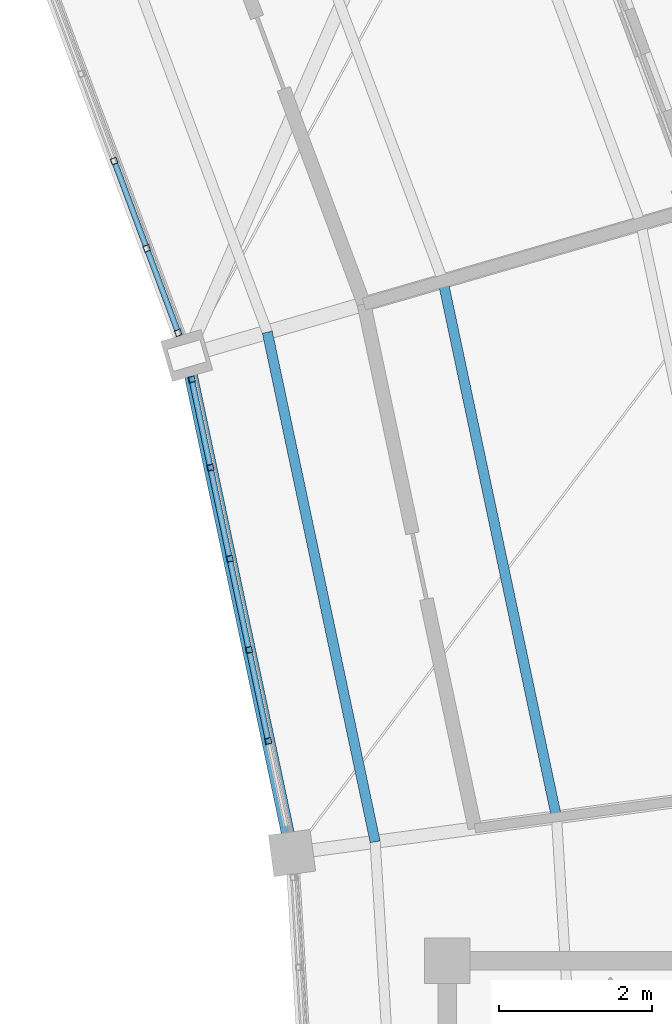
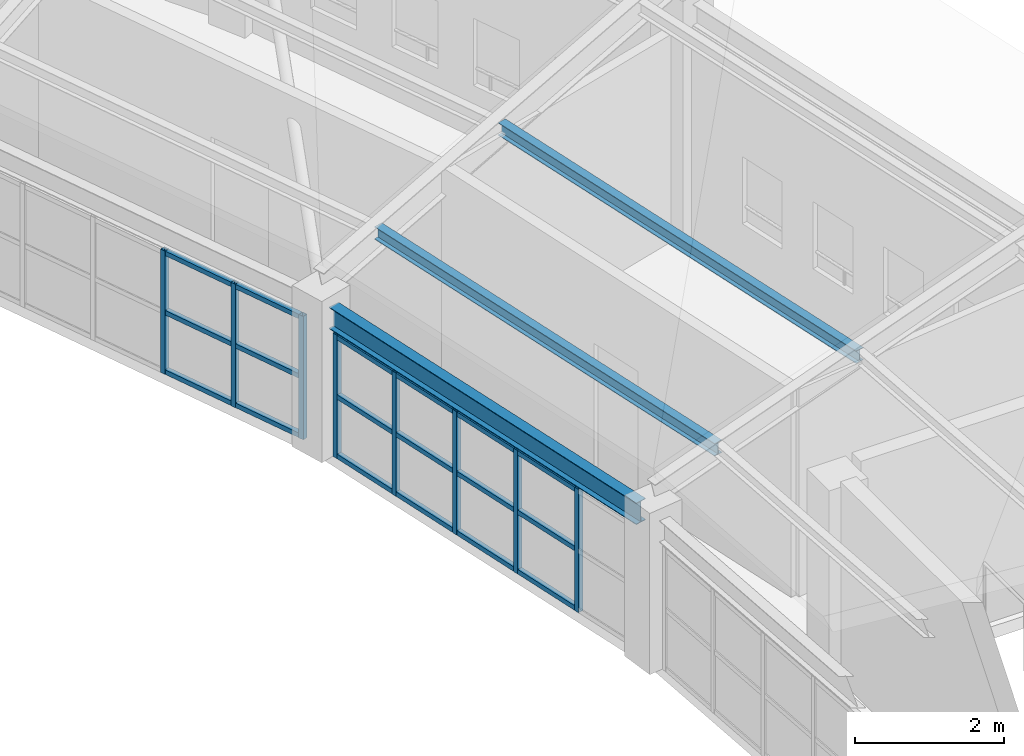
# One storey, part 96 of 149: 28 members, 1 beam, 2 elements without a shape of their own.
"""IFC4 building model written with IfcOpenShell, lengths in metres."""

import ifcopenshell
import ifcopenshell.guid

model = None  # the IFC model being written
_history = None  # IfcOwnerHistory: only IFC2X3 demands one
_inside = {}  # id of a spatial element -> (the spatial element, [elements in it])
_under = {}  # id of a project, library or spatial element -> (it, [spatial elements below it])
_declared = {}  # id of a project -> (the project, [libraries it declares])
_typed = {}  # id of a type object -> (the type object, [elements of that type])
_made_of = {}  # id of a material, layer set ... -> (it, [elements and type objects made of it])


def new_model(schema):
    """Start an empty IFC model of exactly this schema.

    Asked for "IFC4X3", IfcOpenShell would pick the latest addendum, in which some entities
    have other attributes; the version numbers below select the first issue.
    IFC2X3 requires an IfcOwnerHistory on every rooted entity: one is made here for all.
    """
    global model, _history
    if schema == "IFC4X3":
        model = ifcopenshell.file(schema_version=(4, 3, 0, 0))
    else:
        model = ifcopenshell.file(schema=schema)
    _inside.clear()
    _under.clear()
    _declared.clear()
    _typed.clear()
    _made_of.clear()
    _history = None
    if model.schema == "IFC2X3":
        org = make("IfcOrganization", Name="unknown")
        user = make(
            "IfcPersonAndOrganization",
            ThePerson=make("IfcPerson", FamilyName="unknown"),
            TheOrganization=org,
        )
        app = make(
            "IfcApplication",
            ApplicationDeveloper=org,
            Version="unknown",
            ApplicationFullName="unknown",
            ApplicationIdentifier="unknown",
        )
        _history = make(
            "IfcOwnerHistory",
            OwningUser=user,
            OwningApplication=app,
            ChangeAction="ADDED",
            CreationDate=0,
        )
    return model


def make(cls, **values):
    """One entity of the class cls with the attributes given. An attribute that is None is left unset."""
    return model.create_entity(
        cls, **{name: value for name, value in values.items() if value is not None}
    )


def rooted(cls, **values):
    """An entity with a GlobalId (a new one), such as an element, a storey or a relation."""
    return make(cls, GlobalId=ifcopenshell.guid.new(), OwnerHistory=_history, **values)


def si_unit(unit_type, name, prefix=None):
    """IfcSIUnit, for example si_unit("LENGTHUNIT", "METRE", prefix="MILLI")."""
    return make("IfcSIUnit", UnitType=unit_type, Prefix=prefix, Name=name)


def assignment(units):
    """IfcUnitAssignment: the units of a project."""
    return None if units is None else make("IfcUnitAssignment", Units=units)


def point(xyz):
    """IfcCartesianPoint."""
    return None if xyz is None else make("IfcCartesianPoint", Coordinates=xyz)


def direction(xyz):
    """IfcDirection."""
    return None if xyz is None else make("IfcDirection", DirectionRatios=xyz)


def frame(location, z_axis=None, x_axis=None):
    """IfcAxis2Placement3D, a coordinate frame: its origin and axes. An axis left out is left unset."""
    return make(
        "IfcAxis2Placement3D",
        Location=point(location),
        Axis=direction(z_axis),
        RefDirection=direction(x_axis),
    )


def frame_2d(location, x_axis=None):
    """IfcAxis2Placement2D, a coordinate frame in the plane: its origin and x axis."""
    return make(
        "IfcAxis2Placement2D", Location=point(location), RefDirection=direction(x_axis)
    )


def origin():
    """The frame at (0, 0, 0) with its axes left unset."""
    return frame((0.0, 0.0, 0.0))


def origin_2d():
    """The frame at (0, 0) in the plane with its x axis left unset."""
    return frame_2d((0.0, 0.0))


def place(relative_to, where):
    """IfcLocalPlacement: puts the frame where relative to a parent placement (None: the world)."""
    return make(
        "IfcLocalPlacement", PlacementRelTo=relative_to, RelativePlacement=where
    )


def context(
    kind, dimensions, precision=None, world=None, true_north=None, identifier=None
):
    """IfcGeometricRepresentationContext, for example the 3D "Model" context."""
    return make(
        "IfcGeometricRepresentationContext",
        ContextIdentifier=identifier,
        ContextType=kind,
        CoordinateSpaceDimension=dimensions,
        Precision=precision,
        WorldCoordinateSystem=world,
        TrueNorth=true_north,
    )


def subcontext(parent, identifier, kind, view, scale=None):
    """IfcGeometricRepresentationSubContext, for example "Body" below "Model"."""
    return make(
        "IfcGeometricRepresentationSubContext",
        ContextIdentifier=identifier,
        ContextType=kind,
        ParentContext=parent,
        TargetScale=scale,
        TargetView=view,
    )


def project(units=None, contexts=None):
    """IfcProject with its units and contexts."""
    return rooted(
        "IfcProject",
        Name="project",
        RepresentationContexts=contexts,
        UnitsInContext=assignment(units),
    )


def spatial(cls, under=None, at=None, **own):
    """A site, building, storey or space (cls), placed at a placement, below another one or the project."""
    s = rooted(cls, ObjectPlacement=at, **own)
    if under is not None:
        _under.setdefault(under.id(), (under, []))[1].append(s)
    return s


def profile(cls, at=None, kind="AREA", **sizes):
    """A parametric profile (cls). Its sizes go by their IFC names, for example OverallWidth=200.0."""
    return make(cls, ProfileType=kind, Position=at, **sizes)


def hollow_rectangle(**sizes):
    """IfcRectangleHollowProfileDef."""
    return profile("IfcRectangleHollowProfileDef", **sizes)


def i_section(**sizes):
    """IfcIShapeProfileDef."""
    return profile("IfcIShapeProfileDef", **sizes)


def extrude(swept, where, along, depth):
    """IfcExtrudedAreaSolid: the profile swept, set in the frame where, extruded along a direction by depth."""
    return make(
        "IfcExtrudedAreaSolid",
        SweptArea=swept,
        Position=where,
        ExtrudedDirection=direction(along),
        Depth=depth,
    )


def shape(context_of_items, identifier, shape_type, items):
    """IfcShapeRepresentation: the items that make up one representation, for example the "Body"."""
    return make(
        "IfcShapeRepresentation",
        ContextOfItems=context_of_items,
        RepresentationIdentifier=identifier,
        RepresentationType=shape_type,
        Items=items,
    )


def material(Name=None, Category=None):
    """IfcMaterial."""
    return make("IfcMaterial", Name=Name, Category=Category)


def material_profile(
    of_material, cross_section, Name=None, Category=None, Priority=None
):
    """IfcMaterialProfile: a cross section and its material."""
    return make(
        "IfcMaterialProfile",
        Name=Name,
        Material=of_material,
        Profile=cross_section,
        Priority=Priority,
        Category=Category,
    )


def profile_set(profiles, Name=None, composite=None):
    """IfcMaterialProfileSet."""
    return make(
        "IfcMaterialProfileSet",
        Name=Name,
        MaterialProfiles=profiles,
        CompositeProfile=composite,
    )


def made_of(thing, what):
    """Note that an element or type object is made of a material, layer set ...; save() writes the relation."""
    if what is not None:
        _made_of.setdefault(what.id(), (what, []))[1].append(thing)
    return thing


def type_object(cls, material=None, **own):
    """A type object (cls), such as IfcWallType, which elements share."""
    return made_of(rooted(cls, **own), material)


def element(
    cls,
    number,
    at=None,
    inside=None,
    cuts=None,
    type_object=None,
    material=None,
    context=None,
    identifier="Body",
    shape_type=None,
    held_by="IfcProductDefinitionShape",
    body=None,
    shapes=None,
    **own,
):
    """One element of the class cls, such as IfcWall. Its Tag is "e" and its number.

    at: its placement. inside: the storey or other place that contains it. cuts: it is an
    opening in that element (IfcRelVoidsElement). A single representation is given by context,
    identifier, shape_type and body (its items); several are given by shapes. held_by: the class
    of the entity that holds the representations. save() writes the other relations.
    """
    e = rooted(cls, Tag="e%d" % number, ObjectPlacement=at, **own)
    if body is not None:
        shapes = [shape(context, identifier, shape_type, body)]
    if shapes is not None:
        e.Representation = make(held_by, Representations=shapes)
    if inside is not None:
        _inside.setdefault(inside.id(), (inside, []))[1].append(e)
    if cuts is not None:
        rooted(
            "IfcRelVoidsElement", RelatingBuildingElement=cuts, RelatedOpeningElement=e
        )
    if type_object is not None:
        _typed.setdefault(type_object.id(), (type_object, []))[1].append(e)
    return made_of(e, material)


def aggregate(whole, parts):
    """IfcRelAggregates: a whole, such as a stair, and the parts it consists of."""
    return rooted("IfcRelAggregates", RelatingObject=whole, RelatedObjects=parts)


def save(model, path):
    """Write the relations noted so far, then the file.

    IfcRelAggregates (storeys below a building ...), IfcRelContainedInSpatialStructure (elements
    in a storey), IfcRelDefinesByType, IfcRelAssociatesMaterial and IfcRelDeclares: one each for
    every whole, place, type object, material and project.
    """
    for whole, parts in _under.values():
        aggregate(whole, parts)
    for where, things in _inside.values():
        rooted(
            "IfcRelContainedInSpatialStructure",
            RelatedElements=things,
            RelatingStructure=where,
        )
    for kind, things in _typed.values():
        rooted("IfcRelDefinesByType", RelatedObjects=things, RelatingType=kind)
    for what, things in _made_of.values():
        rooted("IfcRelAssociatesMaterial", RelatedObjects=things, RelatingMaterial=what)
    for by, libraries in _declared.values():
        rooted("IfcRelDeclares", RelatingContext=by, RelatedDefinitions=libraries)
    model.write(path)


model = new_model("IFC4")

# Units and contexts
model_context = context("Model", 3, precision=1e-05, world=origin(), true_north=direction((0.0, 1.0)))
body_context = subcontext(model_context, "Body", "Model", "MODEL_VIEW")
ifc_project = project(units=[si_unit("LENGTHUNIT", "METRE"), si_unit("AREAUNIT", "SQUARE_METRE"), si_unit("VOLUMEUNIT", "CUBIC_METRE"), si_unit("PLANEANGLEUNIT", "RADIAN"), si_unit("MASSUNIT", "GRAM", prefix="KILO")], contexts=[model_context])

# Site, building, storey
site_placement = place(None, origin())
site = spatial("IfcSite", under=ifc_project, at=site_placement, CompositionType="ELEMENT")
building_placement = place(site_placement, origin())
building = spatial("IfcBuilding", under=site, at=building_placement, Name="Celadon Cloister-Ring School", CompositionType="ELEMENT")
storey_placement = place(building_placement, frame((0.0, 0.0, 12.5)))
storey = spatial("IfcBuildingStorey", under=building, at=storey_placement, Name="L03", CompositionType="ELEMENT", Elevation=12.5)

# Curtain wall, members
ifc_material_1 = material(Name="Aluminium EN AW-6063 T6", Category="aluminium")
curtain_wall_type = type_object("IfcCurtainWallType", Name="CW-02", PredefinedType="USERDEFINED", material=ifc_material_1)
curtain_wall_1_placement = place(storey_placement, origin())
curtain_wall_1 = element("IfcCurtainWall", 1, at=curtain_wall_1_placement, inside=storey, type_object=curtain_wall_type, Name="Curtain Wall 0073", ObjectType="CURTAIN WALL", PredefinedType="USERDEFINED")
ifc_material_2 = material(Name="Aluminium EN AW-6063 T6", Category="aluminium")
ifc_material_profile_1 = material_profile(ifc_material_2, hollow_rectangle(XDim=0.080078125, YDim=0.080078125, WallThickness=0.00390625, at=origin_2d()), Name="RHS80X80X4")
ifc_profile_set_1 = profile_set([ifc_material_profile_1], Name="Aluminium EN AW-6063 T6")
member_type_1 = type_object("IfcMemberType", Name="CM-03", PredefinedType="MULLION", material=ifc_profile_set_1)
member_1_placement = place(storey_placement, frame((131.282958984375, 66.50048828125, 0.0), z_axis=(0.0, 0.0, 1.0), x_axis=(-0.978328665626, -0.207058016061, 0.0)))
member_1 = element("IfcMember", 2, at=member_1_placement, type_object=member_type_1, Name="CW-02 mullion 2", PredefinedType="MULLION", context=body_context, shape_type="SweptSolid", body=[
    extrude(hollow_rectangle(XDim=0.080078125, YDim=0.080078125, WallThickness=0.00390625, at=origin_2d()), origin(), (0.0, 0.0, 1.0), 2.02001953125),
])
member_2_placement = place(storey_placement, frame((131.030029296875, 67.69580078125, 0.0), z_axis=(0.0, 0.0, 1.0), x_axis=(-0.978328665626, -0.207058016061, 0.0)))
member_2 = element("IfcMember", 3, at=member_2_placement, type_object=member_type_1, Name="CW-02 mullion 3", PredefinedType="MULLION", context=body_context, shape_type="SweptSolid", body=[
    extrude(hollow_rectangle(XDim=0.080078125, YDim=0.080078125, WallThickness=0.00390625, at=origin_2d()), origin(), (0.0, 0.0, 1.0), 2.02001953125),
])
member_3_placement = place(storey_placement, frame((130.777099609375, 68.89111328125, 0.0), z_axis=(0.0, 0.0, 1.0), x_axis=(-0.978328665626, -0.207058016061, 0.0)))
member_3 = element("IfcMember", 4, at=member_3_placement, type_object=member_type_1, Name="CW-02 mullion 4", PredefinedType="MULLION", context=body_context, shape_type="SweptSolid", body=[
    extrude(hollow_rectangle(XDim=0.080078125, YDim=0.080078125, WallThickness=0.00390625, at=origin_2d()), origin(), (0.0, 0.0, 1.0), 2.02001953125),
])
member_4_placement = place(storey_placement, frame((130.52392578125, 70.086669921875, 0.0), z_axis=(0.0, 0.0, 1.0), x_axis=(-0.978328665626, -0.207058016061, 0.0)))
member_4 = element("IfcMember", 5, at=member_4_placement, type_object=member_type_1, Name="CW-02 mullion 5", PredefinedType="MULLION", context=body_context, shape_type="SweptSolid", body=[
    extrude(hollow_rectangle(XDim=0.080078125, YDim=0.080078125, WallThickness=0.00390625, at=origin_2d()), origin(), (0.0, 0.0, 1.0), 2.02001953125),
])
member_5_placement = place(storey_placement, frame((130.279296875, 71.242919921875, 0.0), z_axis=(0.0, 0.0, 1.0), x_axis=(-0.978328665626, -0.207058016061, 0.0)))
member_5 = element("IfcMember", 6, at=member_5_placement, type_object=member_type_1, Name="CW-02 mullion 6", PredefinedType="MULLION", context=body_context, shape_type="SweptSolid", body=[
    extrude(hollow_rectangle(XDim=0.080078125, YDim=0.080078125, WallThickness=0.00390625, at=origin_2d()), origin(), (0.0, 0.0, 1.0), 2.02001953125),
])

curtain_wall_2_placement = place(storey_placement, origin())
curtain_wall_2 = element("IfcCurtainWall", 7, at=curtain_wall_2_placement, inside=storey, type_object=curtain_wall_type, Name="Curtain Wall 0074", ObjectType="CURTAIN WALL", PredefinedType="USERDEFINED")
member_6_placement = place(storey_placement, frame((130.10205078125, 71.853515625, 0.0), z_axis=(0.0, 0.0, 1.0), x_axis=(-0.93694659603, -0.349472568576, 0.0)))
member_6 = element("IfcMember", 8, at=member_6_placement, type_object=member_type_1, Name="CW-02 mullion 1", PredefinedType="MULLION", context=body_context, shape_type="SweptSolid", body=[
    extrude(hollow_rectangle(XDim=0.080078125, YDim=0.080078125, WallThickness=0.00390625, at=origin_2d()), origin(), (0.0, 0.0, 1.0), 2.02001953125),
])
member_7_placement = place(storey_placement, frame((129.68896484375, 72.960693359375, 0.0), z_axis=(0.0, 0.0, 1.0), x_axis=(-0.93694659603, -0.349472568576, 0.0)))
member_7 = element("IfcMember", 9, at=member_7_placement, type_object=member_type_1, Name="CW-02 mullion 2", PredefinedType="MULLION", context=body_context, shape_type="SweptSolid", body=[
    extrude(hollow_rectangle(XDim=0.080078125, YDim=0.080078125, WallThickness=0.00390625, at=origin_2d()), origin(), (0.0, 0.0, 1.0), 2.02001953125),
])
member_8_placement = place(storey_placement, frame((129.261962890625, 74.105712890625, 0.0), z_axis=(0.0, 0.0, 1.0), x_axis=(-0.93694659603, -0.349472568576, 0.0)))
member_8 = element("IfcMember", 10, at=member_8_placement, type_object=member_type_1, Name="CW-02 mullion 3", PredefinedType="MULLION", context=body_context, shape_type="SweptSolid", body=[
    extrude(hollow_rectangle(XDim=0.080078125, YDim=0.080078125, WallThickness=0.00390625, at=origin_2d()), origin(), (0.0, 0.0, 1.0), 2.02001953125),
])

# Member
ifc_material_3 = material(Name="Aluminium EN AW-6063 T6", Category="aluminium")
ifc_material_profile_2 = material_profile(ifc_material_3, hollow_rectangle(XDim=0.074951171875, YDim=0.074951171875, WallThickness=0.00390625, at=origin_2d()), Name="RHS75X75X4")
ifc_profile_set_2 = profile_set([ifc_material_profile_2], Name="Aluminium EN AW-6063 T6")
member_type_2 = type_object("IfcMemberType", Name="CTM-03", PredefinedType="USERDEFINED", material=ifc_profile_set_2)
member_9_placement = place(storey_placement, frame((131.274658203125, 66.53955078125, 0.03759765625), z_axis=(-0.206958591044, 0.978349703119, 0.0), x_axis=(-0.978349703119, -0.206958591044, 0.0)))
member_9 = element("IfcMember", 11, at=member_9_placement, type_object=member_type_2, Name="CW-02 transom 2.1", ObjectType="TRANSOM", PredefinedType="USERDEFINED", context=body_context, shape_type="SweptSolid", body=[
    extrude(hollow_rectangle(XDim=0.074951171875, YDim=0.074951171875, WallThickness=0.00390625, at=origin_2d()), origin(), (0.0, 0.0, 1.0), 1.141845703125),
])

member_10_placement = place(storey_placement, frame((131.274658203125, 66.53955078125, 1.010009765625), z_axis=(-0.206958591044, 0.978349703119, 0.0), x_axis=(-0.978349703119, -0.206958591044, 0.0)))
member_10 = element("IfcMember", 12, at=member_10_placement, type_object=member_type_2, Name="CW-02 transom 2.2", ObjectType="TRANSOM", PredefinedType="USERDEFINED", context=body_context, shape_type="SweptSolid", body=[
    extrude(hollow_rectangle(XDim=0.074951171875, YDim=0.074951171875, WallThickness=0.00390625, at=origin_2d()), origin(), (0.0, 0.0, 1.0), 1.141845703125),
])

member_11_placement = place(storey_placement, frame((131.274658203125, 66.53955078125, 1.982421875), z_axis=(-0.206958591044, 0.978349703119, 0.0), x_axis=(-0.978349703119, -0.206958591044, 0.0)))
member_11 = element("IfcMember", 13, at=member_11_placement, type_object=member_type_2, Name="CW-02 transom 2.3", ObjectType="TRANSOM", PredefinedType="USERDEFINED", context=body_context, shape_type="SweptSolid", body=[
    extrude(hollow_rectangle(XDim=0.074951171875, YDim=0.074951171875, WallThickness=0.00390625, at=origin_2d()), origin(), (0.0, 0.0, 1.0), 1.141845703125),
])

member_12_placement = place(storey_placement, frame((131.021728515625, 67.73486328125, 0.03759765625), z_axis=(-0.206958591044, 0.978349703119, 0.0), x_axis=(-0.978349703119, -0.206958591044, 0.0)))
member_12 = element("IfcMember", 14, at=member_12_placement, type_object=member_type_2, Name="CW-02 transom 3.1", ObjectType="TRANSOM", PredefinedType="USERDEFINED", context=body_context, shape_type="SweptSolid", body=[
    extrude(hollow_rectangle(XDim=0.074951171875, YDim=0.074951171875, WallThickness=0.00390625, at=origin_2d()), origin(), (0.0, 0.0, 1.0), 1.141845703125),
])

member_13_placement = place(storey_placement, frame((131.021728515625, 67.73486328125, 1.010009765625), z_axis=(-0.206958591044, 0.978349703119, 0.0), x_axis=(-0.978349703119, -0.206958591044, 0.0)))
member_13 = element("IfcMember", 15, at=member_13_placement, type_object=member_type_2, Name="CW-02 transom 3.2", ObjectType="TRANSOM", PredefinedType="USERDEFINED", context=body_context, shape_type="SweptSolid", body=[
    extrude(hollow_rectangle(XDim=0.074951171875, YDim=0.074951171875, WallThickness=0.00390625, at=origin_2d()), origin(), (0.0, 0.0, 1.0), 1.141845703125),
])

member_14_placement = place(storey_placement, frame((131.021728515625, 67.73486328125, 1.982421875), z_axis=(-0.206958591044, 0.978349703119, 0.0), x_axis=(-0.978349703119, -0.206958591044, 0.0)))
member_14 = element("IfcMember", 16, at=member_14_placement, type_object=member_type_2, Name="CW-02 transom 3.3", ObjectType="TRANSOM", PredefinedType="USERDEFINED", context=body_context, shape_type="SweptSolid", body=[
    extrude(hollow_rectangle(XDim=0.074951171875, YDim=0.074951171875, WallThickness=0.00390625, at=origin_2d()), origin(), (0.0, 0.0, 1.0), 1.141845703125),
])

member_15_placement = place(storey_placement, frame((130.768798828125, 68.930419921875, 0.03759765625), z_axis=(-0.207206557833, 0.978297215774, 0.0), x_axis=(-0.978297215774, -0.207206557833, 0.0)))
member_15 = element("IfcMember", 17, at=member_15_placement, type_object=member_type_2, Name="CW-02 transom 4.1", ObjectType="TRANSOM", PredefinedType="USERDEFINED", context=body_context, shape_type="SweptSolid", body=[
    extrude(hollow_rectangle(XDim=0.074951171875, YDim=0.074951171875, WallThickness=0.00390625, at=origin_2d()), origin(), (0.0, 0.0, 1.0), 1.1416015625),
])

member_16_placement = place(storey_placement, frame((130.768798828125, 68.930419921875, 1.010009765625), z_axis=(-0.207206557833, 0.978297215774, 0.0), x_axis=(-0.978297215774, -0.207206557833, 0.0)))
member_16 = element("IfcMember", 18, at=member_16_placement, type_object=member_type_2, Name="CW-02 transom 4.2", ObjectType="TRANSOM", PredefinedType="USERDEFINED", context=body_context, shape_type="SweptSolid", body=[
    extrude(hollow_rectangle(XDim=0.074951171875, YDim=0.074951171875, WallThickness=0.00390625, at=origin_2d()), origin(), (0.0, 0.0, 1.0), 1.1416015625),
])

member_17_placement = place(storey_placement, frame((130.768798828125, 68.930419921875, 1.982421875), z_axis=(-0.207206557833, 0.978297215774, 0.0), x_axis=(-0.978297215774, -0.207206557833, 0.0)))
member_17 = element("IfcMember", 19, at=member_17_placement, type_object=member_type_2, Name="CW-02 transom 4.3", ObjectType="TRANSOM", PredefinedType="USERDEFINED", context=body_context, shape_type="SweptSolid", body=[
    extrude(hollow_rectangle(XDim=0.074951171875, YDim=0.074951171875, WallThickness=0.00390625, at=origin_2d()), origin(), (0.0, 0.0, 1.0), 1.1416015625),
])

member_18_placement = place(storey_placement, frame((130.515625, 70.125732421875, 0.03759765625), z_axis=(-0.206970827844, 0.978347114485, 0.0), x_axis=(-0.978347114485, -0.206970827844, 0.0)))
member_18 = element("IfcMember", 20, at=member_18_placement, type_object=member_type_2, Name="CW-02 transom 5.1", ObjectType="TRANSOM", PredefinedType="USERDEFINED", context=body_context, shape_type="SweptSolid", body=[
    extrude(hollow_rectangle(XDim=0.074951171875, YDim=0.074951171875, WallThickness=0.00390625, at=origin_2d()), origin(), (0.0, 0.0, 1.0), 1.101806640625),
])

member_19_placement = place(storey_placement, frame((130.515625, 70.125732421875, 1.010009765625), z_axis=(-0.206970827844, 0.978347114485, 0.0), x_axis=(-0.978347114485, -0.206970827844, 0.0)))
member_19 = element("IfcMember", 21, at=member_19_placement, type_object=member_type_2, Name="CW-02 transom 5.2", ObjectType="TRANSOM", PredefinedType="USERDEFINED", context=body_context, shape_type="SweptSolid", body=[
    extrude(hollow_rectangle(XDim=0.074951171875, YDim=0.074951171875, WallThickness=0.00390625, at=origin_2d()), origin(), (0.0, 0.0, 1.0), 1.101806640625),
])

member_20_placement = place(storey_placement, frame((130.515625, 70.125732421875, 1.982421875), z_axis=(-0.206970827844, 0.978347114485, 0.0), x_axis=(-0.978347114485, -0.206970827844, 0.0)))
member_20 = element("IfcMember", 22, at=member_20_placement, type_object=member_type_2, Name="CW-02 transom 5.3", ObjectType="TRANSOM", PredefinedType="USERDEFINED", context=body_context, shape_type="SweptSolid", body=[
    extrude(hollow_rectangle(XDim=0.074951171875, YDim=0.074951171875, WallThickness=0.00390625, at=origin_2d()), origin(), (0.0, 0.0, 1.0), 1.101806640625),
])

aggregate(curtain_wall_1, [member_1, member_2, member_3, member_4, member_5, member_9, member_10, member_11, member_12, member_13, member_14, member_15, member_16, member_17, member_18, member_19, member_20])

member_21_placement = place(storey_placement, frame((130.088134765625, 71.890869140625, 0.03759765625), z_axis=(-0.349593422212, 0.936901509843, 0.0), x_axis=(-0.936901509843, -0.349593422212, 0.0)))
member_21 = element("IfcMember", 23, at=member_21_placement, type_object=member_type_2, Name="CW-02 transom 1.1", ObjectType="TRANSOM", PredefinedType="USERDEFINED", context=body_context, shape_type="SweptSolid", body=[
    extrude(hollow_rectangle(XDim=0.074951171875, YDim=0.074951171875, WallThickness=0.00390625, at=origin_2d()), origin(), (0.0, 0.0, 1.0), 1.10205078125),
])

member_22_placement = place(storey_placement, frame((130.088134765625, 71.890869140625, 1.010009765625), z_axis=(-0.349593422212, 0.936901509843, 0.0), x_axis=(-0.936901509843, -0.349593422212, 0.0)))
member_22 = element("IfcMember", 24, at=member_22_placement, type_object=member_type_2, Name="CW-02 transom 1.2", ObjectType="TRANSOM", PredefinedType="USERDEFINED", context=body_context, shape_type="SweptSolid", body=[
    extrude(hollow_rectangle(XDim=0.074951171875, YDim=0.074951171875, WallThickness=0.00390625, at=origin_2d()), origin(), (0.0, 0.0, 1.0), 1.10205078125),
])

member_23_placement = place(storey_placement, frame((130.088134765625, 71.890869140625, 1.982421875), z_axis=(-0.349593422212, 0.936901509843, 0.0), x_axis=(-0.936901509843, -0.349593422212, 0.0)))
member_23 = element("IfcMember", 25, at=member_23_placement, type_object=member_type_2, Name="CW-02 transom 1.3", ObjectType="TRANSOM", PredefinedType="USERDEFINED", context=body_context, shape_type="SweptSolid", body=[
    extrude(hollow_rectangle(XDim=0.074951171875, YDim=0.074951171875, WallThickness=0.00390625, at=origin_2d()), origin(), (0.0, 0.0, 1.0), 1.10205078125),
])

member_24_placement = place(storey_placement, frame((129.675048828125, 72.998291015625, 0.03759765625), z_axis=(-0.349576513866, 0.936907818813, 0.0), x_axis=(-0.936907818813, -0.349576513866, 0.0)))
member_24 = element("IfcMember", 26, at=member_24_placement, type_object=member_type_2, Name="CW-02 transom 2.1", ObjectType="TRANSOM", PredefinedType="USERDEFINED", context=body_context, shape_type="SweptSolid", body=[
    extrude(hollow_rectangle(XDim=0.074951171875, YDim=0.074951171875, WallThickness=0.00390625, at=origin_2d()), origin(), (0.0, 0.0, 1.0), 1.141845703125),
])

member_25_placement = place(storey_placement, frame((129.675048828125, 72.998291015625, 1.010009765625), z_axis=(-0.349576513866, 0.936907818813, 0.0), x_axis=(-0.936907818813, -0.349576513866, 0.0)))
member_25 = element("IfcMember", 27, at=member_25_placement, type_object=member_type_2, Name="CW-02 transom 2.2", ObjectType="TRANSOM", PredefinedType="USERDEFINED", context=body_context, shape_type="SweptSolid", body=[
    extrude(hollow_rectangle(XDim=0.074951171875, YDim=0.074951171875, WallThickness=0.00390625, at=origin_2d()), origin(), (0.0, 0.0, 1.0), 1.141845703125),
])

member_26_placement = place(storey_placement, frame((129.675048828125, 72.998291015625, 1.982421875), z_axis=(-0.349576513866, 0.936907818813, 0.0), x_axis=(-0.936907818813, -0.349576513866, 0.0)))
member_26 = element("IfcMember", 28, at=member_26_placement, type_object=member_type_2, Name="CW-02 transom 2.3", ObjectType="TRANSOM", PredefinedType="USERDEFINED", context=body_context, shape_type="SweptSolid", body=[
    extrude(hollow_rectangle(XDim=0.074951171875, YDim=0.074951171875, WallThickness=0.00390625, at=origin_2d()), origin(), (0.0, 0.0, 1.0), 1.141845703125),
])

aggregate(curtain_wall_2, [member_6, member_7, member_8, member_21, member_22, member_23, member_24, member_25, member_26])

# Beam
ifc_material_4 = material(Name="Structural steel S355JR", Category="steel")
ifc_material_profile_3 = material_profile(ifc_material_4, i_section(OverallWidth=0.1708984375, OverallDepth=0.35498046875, WebThickness=0.007080078125, FlangeThickness=0.01171875, at=origin_2d()), Name="W360X51")
ifc_profile_set_3 = profile_set([ifc_material_profile_3], Name="Structural steel S355JR")
beam_type = type_object("IfcBeamType", Name="GT-08", PredefinedType="USERDEFINED", material=ifc_profile_set_3)
beam_placement = place(storey_placement, frame((131.5419921875, 65.277099609375, 2.27197265625), z_axis=(-0.207097779253, 0.978320249115, 0.0), x_axis=(-0.978320249115, -0.207097779253, 0.0)))
element("IfcBeam", 29, at=beam_placement, inside=storey, type_object=beam_type, Name="Beam 0580", ObjectType="GIRDER", PredefinedType="USERDEFINED", context=body_context, shape_type="SweptSolid", body=[
    extrude(i_section(OverallWidth=0.1708984375, OverallDepth=0.35498046875, WebThickness=0.007080078125, FlangeThickness=0.01171875, at=origin_2d()), origin(), (0.0, 0.0, 1.0), 6.166748046875),
])

# Members
ifc_material_5 = material(Name="Structural steel S355JR", Category="steel")
ifc_material_profile_4 = material_profile(ifc_material_5, i_section(OverallWidth=0.133056640625, OverallDepth=0.20703125, WebThickness=0.005859375, FlangeThickness=0.00830078125, at=origin_2d()), Name="W200X27")
ifc_profile_set_4 = profile_set([ifc_material_profile_4], Name="Structural steel S355JR")
member_type_3 = type_object("IfcMemberType", Name="MP-04", PredefinedType="PURLIN", material=ifc_profile_set_4)
member_27_placement = place(storey_placement, frame((132.68408203125, 65.179931640625, 2.970947265625), z_axis=(-0.207062561543, 0.978327703588, 0.0), x_axis=(-0.978327703588, -0.207062561543, 0.0)))
element("IfcMember", 30, at=member_27_placement, inside=storey, type_object=member_type_3, Name="Structural Member 0226", PredefinedType="PURLIN", context=body_context, shape_type="SweptSolid", body=[
    extrude(i_section(OverallWidth=0.133056640625, OverallDepth=0.20703125, WebThickness=0.005859375, FlangeThickness=0.00830078125, at=origin_2d()), origin(), (0.0, 0.0, 1.0), 6.8291015625),
])
member_28_placement = place(storey_placement, frame((135.06201171875, 65.501953125, 3.4599609375), z_axis=(-0.207108076555, 0.978318069252, 0.0), x_axis=(-0.978318069252, -0.207108076555, 0.0)))
element("IfcMember", 31, at=member_28_placement, inside=storey, type_object=member_type_3, Name="Structural Member 0227", PredefinedType="PURLIN", context=body_context, shape_type="SweptSolid", body=[
    extrude(i_section(OverallWidth=0.133056640625, OverallDepth=0.20703125, WebThickness=0.005859375, FlangeThickness=0.00830078125, at=origin_2d()), origin(), (0.0, 0.0, 1.0), 7.184814453125),
])

save(model, "model.ifc")
